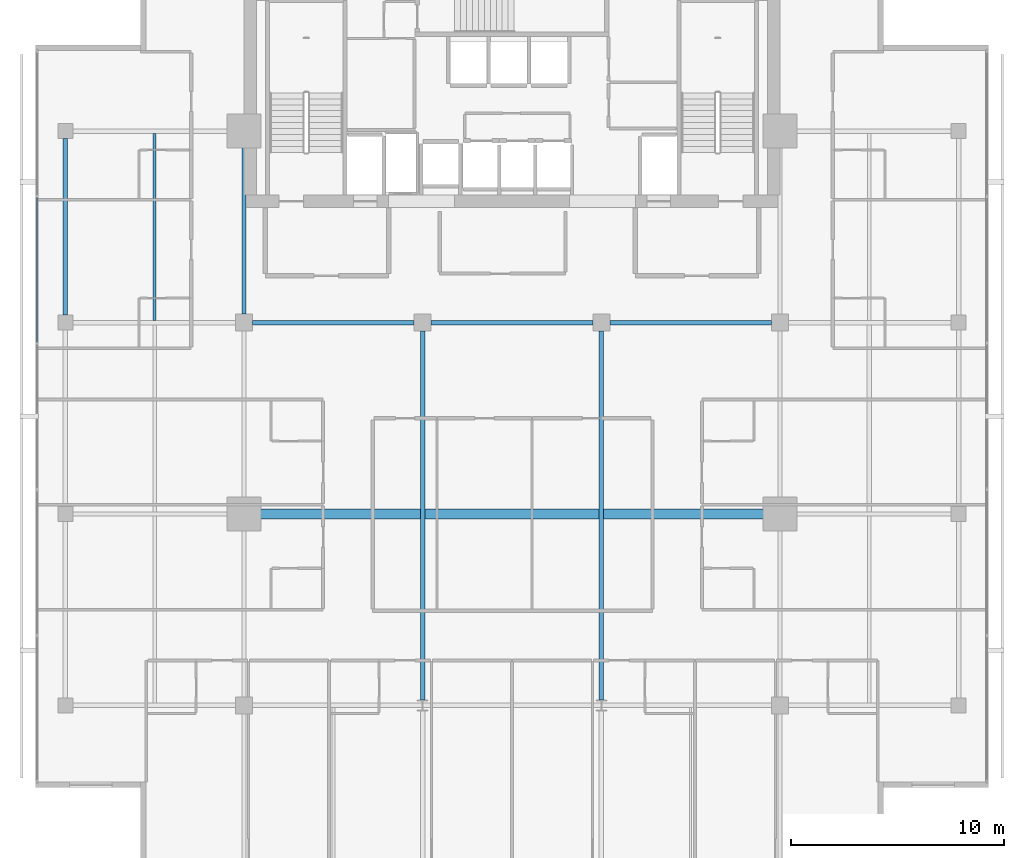
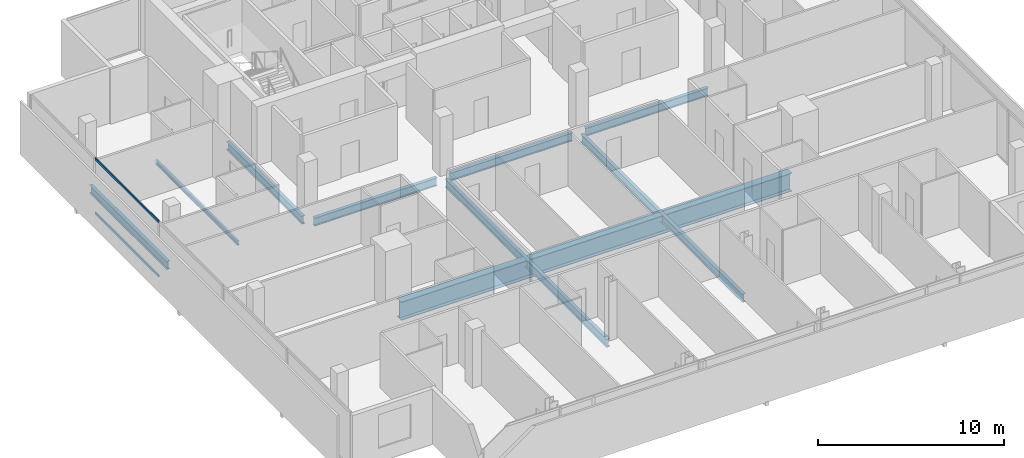
# One storey, part 9 of 26: 9 beams, 2 members, 1 element without a shape of its own.
"""IFC4 building model written with IfcOpenShell, lengths in metres."""

from ifc_helpers import new_model, si_unit, direction, frame, origin, origin_2d, place, context, subcontext, project, spatial, hollow_rectangle, i_section, extrude, material, layer, layer_set, material_profile, profile_set, type_object, element, aggregate, save


model = new_model("IFC4")

# Units and contexts
model_context = context("Model", 3, precision=1e-05, world=origin(), true_north=direction((0.0, 1.0)))
body_context = subcontext(model_context, "Body", "Model", "MODEL_VIEW")
ifc_project = project(units=[si_unit("LENGTHUNIT", "METRE"), si_unit("AREAUNIT", "SQUARE_METRE"), si_unit("VOLUMEUNIT", "CUBIC_METRE"), si_unit("PLANEANGLEUNIT", "RADIAN"), si_unit("MASSUNIT", "GRAM", prefix="KILO")], contexts=[model_context])

# Site, building, storey
site_placement = place(None, origin())
site = spatial("IfcSite", under=ifc_project, at=site_placement, CompositionType="ELEMENT")
building_placement = place(site_placement, origin())
building = spatial("IfcBuilding", under=site, at=building_placement, Name="Maruvema Waterfront Hotel and Observation Tower", CompositionType="ELEMENT")
storey_placement = place(building_placement, frame((0.0, 0.0, 258.64990234375)))
storey = spatial("IfcBuildingStorey", under=building, at=storey_placement, Name="L63", CompositionType="ELEMENT", Elevation=258.64990234375)

# Curtain wall, members
ifc_material_1 = material(Name="Anodised bronze aluminium and solar-control low-E IGU", Category="aluminium")
ifc_layer = layer(ifc_material_1, 0.159912109375, Name="Zone 3 Champagne Inner Thermal Curtain Wall System CW-04")
ifc_layer_set = layer_set([ifc_layer], Name="Anodised bronze aluminium and solar-control low-E IGU")
curtain_wall_type = type_object("IfcCurtainWallType", Name="Zone 3 Champagne Inner Thermal Curtain Wall System CW-04", PredefinedType="USERDEFINED", material=ifc_layer_set)
curtain_wall_placement = place(storey_placement, origin())
curtain_wall = element("IfcCurtainWall", 1, at=curtain_wall_placement, inside=storey, type_object=curtain_wall_type, Name="L63 Curtain Wall CW-L63-W", ObjectType="UNITISED CURTAIN WALL", PredefinedType="USERDEFINED")
ifc_material_2 = material(Name="Anodised architectural bronze aluminium", Category="aluminium")
ifc_material_profile_1 = material_profile(ifc_material_2, hollow_rectangle(XDim=0.070068359375, YDim=0.14990234375, WallThickness=0.00390625, at=origin_2d()), Name="ALU-T70x150")
ifc_profile_set_1 = profile_set([ifc_material_profile_1], Name="Anodised architectural bronze aluminium")
member_type = type_object("IfcMemberType", Name="Curtain Wall Horizontal Transom ALU-T70x150", PredefinedType="USERDEFINED", material=ifc_profile_set_1)
member_1_placement = place(storey_placement, frame((15.47998046875, 41.889892578125, 0.030029296875), z_axis=(0.0, -1.0, 0.0), x_axis=(1.0, 0.0, 0.0)))
member_1 = element("IfcMember", 2, at=member_1_placement, type_object=member_type, Name="CW-04 transom 2.1", ObjectType="TRANSOM", PredefinedType="USERDEFINED", context=body_context, shape_type="SweptSolid", body=[
    extrude(hollow_rectangle(XDim=0.070068359375, YDim=0.14990234375, WallThickness=0.00390625, at=origin_2d()), origin(), (0.0, 0.0, 1.0), 6.81982421875),
])
member_2_placement = place(storey_placement, frame((15.47998046875, 41.889892578125, 3.580078125), z_axis=(0.0, -1.0, 0.0), x_axis=(1.0, 0.0, 0.0)))
member_2 = element("IfcMember", 3, at=member_2_placement, type_object=member_type, Name="CW-04 transom 2.2", ObjectType="TRANSOM", PredefinedType="USERDEFINED", context=body_context, shape_type="SweptSolid", body=[
    extrude(hollow_rectangle(XDim=0.070068359375, YDim=0.14990234375, WallThickness=0.00390625, at=origin_2d()), origin(), (0.0, 0.0, 1.0), 6.81982421875),
])
aggregate(curtain_wall, [member_1, member_2])

# Beams
ifc_material_3 = material(Name="Steel ASTM A572 Grade 50", Category="steel")
ifc_material_profile_2 = material_profile(ifc_material_3, i_section(OverallWidth=0.208984375, OverallDepth=0.532958984375, WebThickness=0.01025390625, FlangeThickness=0.015625, FilletRadius=0.014892578125, at=origin_2d()), Name="W530x92.0")
ifc_profile_set_2 = profile_set([ifc_material_profile_2], Name="Steel ASTM A572 Grade 50")
beam_type_1 = type_object("IfcBeamType", Name="Primary Floor Girder W530x92.0", PredefinedType="BEAM", material=ifc_profile_set_2)
beam_1_placement = place(storey_placement, frame((25.60009765625, 36.0, -0.50634765625), z_axis=(1.0, 0.0, 0.0), x_axis=(0.0, 1.0, 0.0)))
element("IfcBeam", 4, at=beam_1_placement, inside=storey, type_object=beam_type_1, Name="L63 Floor Girder EW-13", PredefinedType="BEAM", context=body_context, shape_type="SweptSolid", body=[
    extrude(i_section(OverallWidth=0.208984375, OverallDepth=0.532958984375, WebThickness=0.01025390625, FlangeThickness=0.015625, FilletRadius=0.014892578125, at=origin_2d()), origin(), (0.0, 0.0, 1.0), 7.599853515625),
])
for number, where, z_axis, x_axis, name in (
    (5, (34.0, 36.0, -0.50634765625), (1.0, 0.0, 0.0), (0.0, 1.0, 0.0), "L63 Floor Girder EW-14"),
    (6, (42.39990234375, 36.0, -0.50634765625), (1.0, 0.0, 0.0), (0.0, 1.0, 0.0), "L63 Floor Girder EW-15"),
):
    element("IfcBeam", number, at=place(storey_placement, frame(where, z_axis=z_axis, x_axis=x_axis)), inside=storey, type_object=beam_type_1, Name=name, PredefinedType="BEAM", context=body_context, shape_type="SweptSolid", body=[
        extrude(i_section(OverallWidth=0.208984375, OverallDepth=0.532958984375, WebThickness=0.01025390625, FlangeThickness=0.015625, FilletRadius=0.014892578125, at=origin_2d()), origin(), (0.0, 0.0, 1.0), 7.60009765625),
    ])
beam_2_placement = place(storey_placement, frame((16.800048828125, 36.35009765625, -0.50634765625), z_axis=(0.0, 1.0, 0.0), x_axis=(-1.0, 0.0, 0.0)))
element("IfcBeam", 7, at=beam_2_placement, inside=storey, type_object=beam_type_1, Name="L63 Floor Girder NS-03", PredefinedType="BEAM", context=body_context, shape_type="SweptSolid", body=[
    extrude(i_section(OverallWidth=0.208984375, OverallDepth=0.532958984375, WebThickness=0.01025390625, FlangeThickness=0.015625, FilletRadius=0.014892578125, at=origin_2d()), origin(), (0.0, 0.0, 1.0), 8.2998046875),
])
beam_3_placement = place(storey_placement, frame((25.199951171875, 36.39990234375, -0.50634765625), z_axis=(0.0, 1.0, 0.0), x_axis=(-1.0, 0.0, 0.0)))
element("IfcBeam", 8, at=beam_3_placement, inside=storey, type_object=beam_type_1, Name="L63 Floor Girder NS-07", PredefinedType="BEAM", context=body_context, shape_type="SweptSolid", body=[
    extrude(i_section(OverallWidth=0.208984375, OverallDepth=0.532958984375, WebThickness=0.01025390625, FlangeThickness=0.015625, FilletRadius=0.014892578125, at=origin_2d()), origin(), (0.0, 0.0, 1.0), 8.10009765625),
])
for number, where, z_axis, x_axis, name in (
    (9, (33.60009765625, 18.25, -0.50634765625), (0.0, 1.0, 0.0), (-1.0, 0.0, 0.0), "L63 Floor Girder NS-09"),
    (10, (42.0, 18.25, -0.50634765625), (0.0, 1.0, 0.0), (-1.0, 0.0, 0.0), "L63 Floor Girder NS-11"),
):
    element("IfcBeam", number, at=place(storey_placement, frame(where, z_axis=z_axis, x_axis=x_axis)), inside=storey, type_object=beam_type_1, Name=name, PredefinedType="BEAM", context=body_context, shape_type="SweptSolid", body=[
        extrude(i_section(OverallWidth=0.208984375, OverallDepth=0.532958984375, WebThickness=0.01025390625, FlangeThickness=0.015625, FilletRadius=0.014892578125, at=origin_2d()), origin(), (0.0, 0.0, 1.0), 17.35009765625),
    ])
ifc_material_4 = material(Name="Steel ASTM A572 Grade 50", Category="steel")
ifc_material_profile_3 = material_profile(ifc_material_4, i_section(OverallWidth=0.14794921875, OverallDepth=0.26611328125, WebThickness=0.007568359375, FlangeThickness=0.012939453125, FilletRadius=0.012939453125, at=origin_2d()), Name="W250x44.8")
ifc_profile_set_3 = profile_set([ifc_material_profile_3], Name="Steel ASTM A572 Grade 50")
beam_type_2 = type_object("IfcBeamType", Name="Secondary Floor Joist W250x44.8", PredefinedType="JOIST", material=ifc_profile_set_3)
beam_4_placement = place(storey_placement, frame((21.0, 36.1044921875, -0.372802734375), z_axis=(0.0, 1.0, 0.0), x_axis=(-1.0, 0.0, 0.0)))
element("IfcBeam", 11, at=beam_4_placement, inside=storey, type_object=beam_type_2, Name="L63 Secondary Floor Joist JS-03", PredefinedType="JOIST", context=body_context, shape_type="SweptSolid", body=[
    extrude(i_section(OverallWidth=0.14794921875, OverallDepth=0.26611328125, WebThickness=0.007568359375, FlangeThickness=0.012939453125, FilletRadius=0.012939453125, at=origin_2d()), origin(), (0.0, 0.0, 1.0), 8.791015625),
])
ifc_material_5 = material(Name="Steel ABNT NBR 7007 AR 415 (ASTM A572 Grade 50)", Category="steel")
ifc_material_profile_4 = material_profile(ifc_material_5, i_section(OverallWidth=0.449951171875, OverallDepth=1.199951171875, WebThickness=0.01904296875, FlangeThickness=0.031982421875, at=origin_2d()), Name="VS1200x366")
ifc_profile_set_4 = profile_set([ifc_material_profile_4], Name="Steel ABNT NBR 7007 AR 415 (ASTM A572 Grade 50)")
beam_type_3 = type_object("IfcBeamType", Name="Upper Setback Transfer Girder VS1200x366", PredefinedType="USERDEFINED", material=ifc_profile_set_4)
beam_5_placement = place(storey_placement, frame((25.699951171875, 27.0, -0.83984375), z_axis=(1.0, 0.0, 0.0), x_axis=(0.0, 1.0, 0.0)))
element("IfcBeam", 12, at=beam_5_placement, inside=storey, type_object=beam_type_3, Name="L63 Floor Girder EW-10", ObjectType="TRANSFER GIRDER", PredefinedType="USERDEFINED", context=body_context, shape_type="SweptSolid", body=[
    extrude(i_section(OverallWidth=0.449951171875, OverallDepth=1.199951171875, WebThickness=0.01904296875, FlangeThickness=0.031982421875, at=origin_2d()), origin(), (0.0, 0.0, 1.0), 24.199951171875),
])

save(model, "model.ifc")
